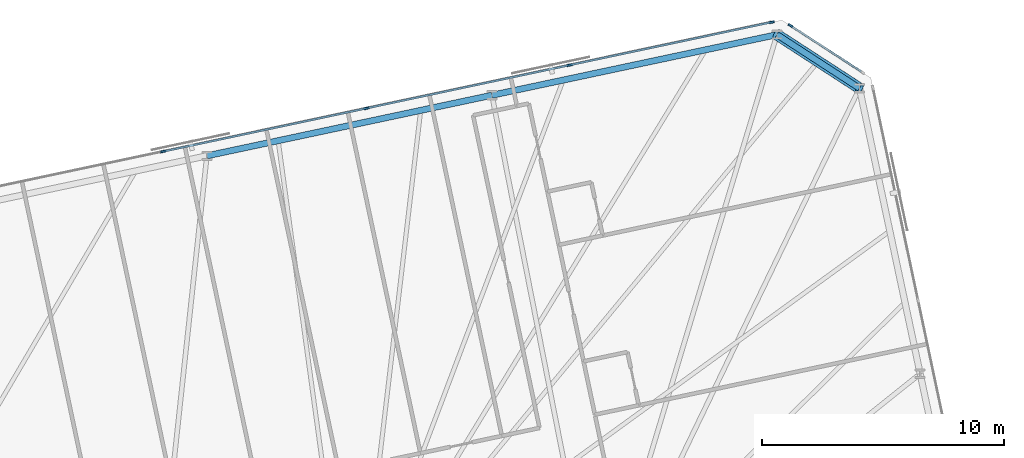
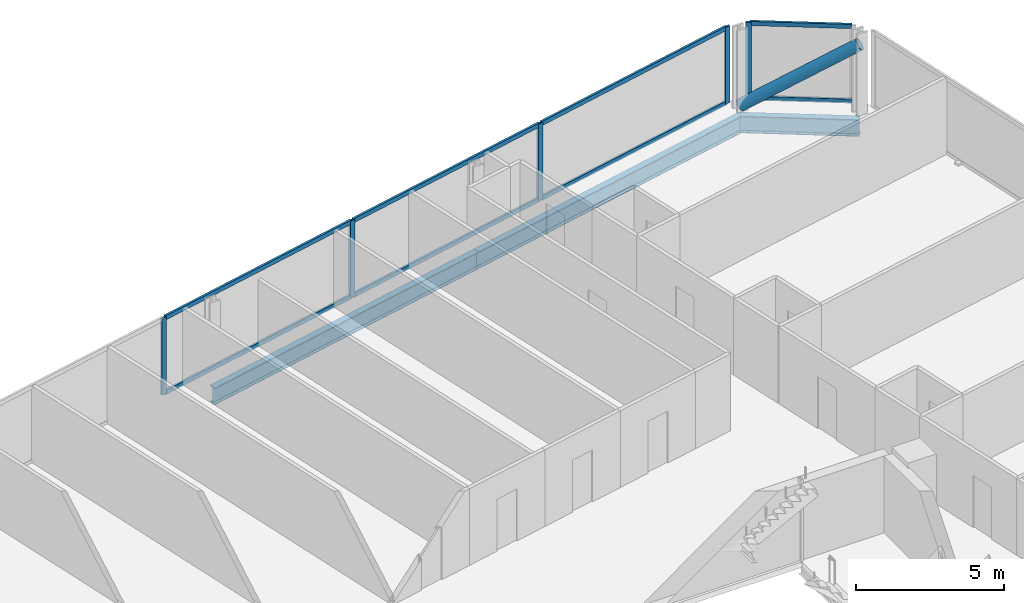
# One storey, part 11 of 21: 14 members, 3 beams, 2 elements without a shape of their own.
"""IFC4 building model written with IfcOpenShell, lengths in metres."""

from ifc_helpers import new_model, si_unit, direction, frame, origin, origin_2d, place, context, subcontext, project, spatial, rectangle, hollow_circle, i_section, extrude, material, material_profile, profile_set, type_object, element, aggregate, save


model = new_model("IFC4")

# Units and contexts
model_context = context("Model", 3, precision=1e-05, world=origin(), true_north=direction((0.0, 1.0)))
body_context = subcontext(model_context, "Body", "Model", "MODEL_VIEW")
ifc_project = project(units=[si_unit("LENGTHUNIT", "METRE"), si_unit("AREAUNIT", "SQUARE_METRE"), si_unit("VOLUMEUNIT", "CUBIC_METRE"), si_unit("PLANEANGLEUNIT", "RADIAN"), si_unit("MASSUNIT", "GRAM", prefix="KILO")], contexts=[model_context])

# Site, building, storey
site_placement = place(None, origin())
site = spatial("IfcSite", under=ifc_project, at=site_placement, CompositionType="ELEMENT")
building_placement = place(site_placement, origin())
building = spatial("IfcBuilding", under=site, at=building_placement, Name="Menara Jurai Vektor", CompositionType="ELEMENT")
storey_placement = place(building_placement, frame((0.0, 0.0, 168.39990234375)))
storey = spatial("IfcBuildingStorey", under=building, at=storey_placement, Name="L43", CompositionType="ELEMENT", Elevation=168.39990234375)

# Curtain wall, member
ifc_material_1 = material(Name="Anodised Pale Aluminium & Low-E Double Glazing", Category="aluminium")
curtain_wall_type = type_object("IfcCurtainWallType", Name="CW-BLK3", PredefinedType="NOTDEFINED", material=ifc_material_1)
curtain_wall_1_placement = place(storey_placement, origin())
curtain_wall_1 = element("IfcCurtainWall", 1, at=curtain_wall_1_placement, inside=storey, type_object=curtain_wall_type, Name="Unitised Curtain Wall L43 F04", PredefinedType="NOTDEFINED")
ifc_material_2 = material(Name="Anodised Pale Aluminium Mullion", Category="aluminium")
ifc_material_profile_1 = material_profile(ifc_material_2, rectangle(XDim=0.0849609375, YDim=0.205078125, at=origin_2d()), Name="ALU MUL 85x205")
ifc_profile_set_1 = profile_set([ifc_material_profile_1], Name="Anodised Pale Aluminium Mullion")
member_type_1 = type_object("IfcMemberType", Name="CW-BLK3-MUL", PredefinedType="MULLION", material=ifc_profile_set_1)
member_1_placement = place(storey_placement, frame((23.219970703125, 29.920654296875, 0.0), z_axis=(0.0, 0.0, 1.0), x_axis=(-0.544617794346, -0.838684361415, 0.0)))
member_1 = element("IfcMember", 2, at=member_1_placement, type_object=member_type_1, Name="CW-03 mullion 2", PredefinedType="MULLION", context=body_context, shape_type="SweptSolid", body=[
    extrude(rectangle(XDim=0.0849609375, YDim=0.205078125, at=origin_2d()), origin(), (0.0, 0.0, 1.0), 3.175048828125),
])

# Curtain wall, members
curtain_wall_2_placement = place(storey_placement, origin())
curtain_wall_2 = element("IfcCurtainWall", 3, at=curtain_wall_2_placement, inside=storey, type_object=curtain_wall_type, Name="Unitised Curtain Wall L43 F05", PredefinedType="NOTDEFINED")
member_2_placement = place(storey_placement, frame((22.452392578125, 30.062744140625, 0.0), z_axis=(0.0, 0.0, 1.0), x_axis=(0.207911344156, -0.978147674419, 0.0)))
member_2 = element("IfcMember", 4, at=member_2_placement, type_object=member_type_1, Name="CW-03 mullion 1", PredefinedType="MULLION", context=body_context, shape_type="SweptSolid", body=[
    extrude(rectangle(XDim=0.0849609375, YDim=0.205078125, at=origin_2d()), origin(), (0.0, 0.0, 1.0), 3.175048828125),
])
member_3_placement = place(storey_placement, frame((14.104248046875, 28.288330078125, 0.0), z_axis=(0.0, 0.0, 1.0), x_axis=(0.207911344156, -0.978147674419, 0.0)))
member_3 = element("IfcMember", 5, at=member_3_placement, type_object=member_type_1, Name="CW-03 mullion 2", PredefinedType="MULLION", context=body_context, shape_type="SweptSolid", body=[
    extrude(rectangle(XDim=0.0849609375, YDim=0.205078125, at=origin_2d()), origin(), (0.0, 0.0, 1.0), 3.175048828125),
])
member_4_placement = place(storey_placement, frame((5.71435546875, 26.505126953125, 0.0), z_axis=(0.0, 0.0, 1.0), x_axis=(0.207911344156, -0.978147674419, 0.0)))
member_4 = element("IfcMember", 6, at=member_4_placement, type_object=member_type_1, Name="CW-03 mullion 3", PredefinedType="MULLION", context=body_context, shape_type="SweptSolid", body=[
    extrude(rectangle(XDim=0.0849609375, YDim=0.205078125, at=origin_2d()), origin(), (0.0, 0.0, 1.0), 3.175048828125),
])
member_5_placement = place(storey_placement, frame((-2.67529296875, 24.721923828125, 0.0), z_axis=(0.0, 0.0, 1.0), x_axis=(0.207911344156, -0.978147674419, 0.0)))
member_5 = element("IfcMember", 7, at=member_5_placement, type_object=member_type_1, Name="CW-03 mullion 4", PredefinedType="MULLION", context=body_context, shape_type="SweptSolid", body=[
    extrude(rectangle(XDim=0.0849609375, YDim=0.205078125, at=origin_2d()), origin(), (0.0, 0.0, 1.0), 3.175048828125),
])

# Member
ifc_material_3 = material(Name="Anodised Pale Aluminium Transom", Category="aluminium")
ifc_material_profile_2 = material_profile(ifc_material_3, rectangle(XDim=0.0849609375, YDim=0.175048828125, at=origin_2d()), Name="ALU TRN 85x175")
ifc_profile_set_2 = profile_set([ifc_material_profile_2], Name="Anodised Pale Aluminium Transom")
member_type_2 = type_object("IfcMemberType", Name="CW-BLK3-TRN", PredefinedType="USERDEFINED", material=ifc_profile_set_2)
member_6_placement = place(storey_placement, frame((26.15234375, 28.016357421875, 0.04248046875), z_axis=(-0.83867770631, 0.54462804274, 0.0), x_axis=(-0.54462804274, -0.83867770631, 0.0)))
member_6 = element("IfcMember", 8, at=member_6_placement, type_object=member_type_2, Name="CW-03 transom 1.1", ObjectType="TRANSOM", PredefinedType="USERDEFINED", context=body_context, shape_type="SweptSolid", body=[
    extrude(rectangle(XDim=0.0849609375, YDim=0.175048828125, at=origin_2d()), origin(), (0.0, 0.0, 1.0), 3.453857421875),
])

member_7_placement = place(storey_placement, frame((26.15234375, 28.016357421875, 3.132568359375), z_axis=(-0.83867770631, 0.54462804274, 0.0), x_axis=(-0.54462804274, -0.83867770631, 0.0)))
member_7 = element("IfcMember", 9, at=member_7_placement, type_object=member_type_2, Name="CW-03 transom 1.2", ObjectType="TRANSOM", PredefinedType="USERDEFINED", context=body_context, shape_type="SweptSolid", body=[
    extrude(rectangle(XDim=0.0849609375, YDim=0.175048828125, at=origin_2d()), origin(), (0.0, 0.0, 1.0), 3.453857421875),
])

aggregate(curtain_wall_1, [member_1, member_6, member_7])

member_8_placement = place(storey_placement, frame((22.41064453125, 30.053955078125, 0.04248046875), z_axis=(-0.978151580361, -0.207892967261, 0.0), x_axis=(0.207892967261, -0.978151580361, 0.0)))
member_8 = element("IfcMember", 10, at=member_8_placement, type_object=member_type_2, Name="CW-03 transom 1.1", ObjectType="TRANSOM", PredefinedType="USERDEFINED", context=body_context, shape_type="SweptSolid", body=[
    extrude(rectangle(XDim=0.0849609375, YDim=0.175048828125, at=origin_2d()), origin(), (0.0, 0.0, 1.0), 8.449462890625),
])

member_9_placement = place(storey_placement, frame((22.41064453125, 30.053955078125, 3.132568359375), z_axis=(-0.978151580361, -0.207892967261, 0.0), x_axis=(0.207892967261, -0.978151580361, 0.0)))
member_9 = element("IfcMember", 11, at=member_9_placement, type_object=member_type_2, Name="CW-03 transom 1.2", ObjectType="TRANSOM", PredefinedType="USERDEFINED", context=body_context, shape_type="SweptSolid", body=[
    extrude(rectangle(XDim=0.0849609375, YDim=0.175048828125, at=origin_2d()), origin(), (0.0, 0.0, 1.0), 8.449462890625),
])

member_10_placement = place(storey_placement, frame((14.0625, 28.279541015625, 0.04248046875), z_axis=(-0.978146500933, -0.207916864907, 0.0), x_axis=(0.207916864907, -0.978146500933, 0.0)))
member_10 = element("IfcMember", 12, at=member_10_placement, type_object=member_type_2, Name="CW-03 transom 2.1", ObjectType="TRANSOM", PredefinedType="USERDEFINED", context=body_context, shape_type="SweptSolid", body=[
    extrude(rectangle(XDim=0.0849609375, YDim=0.175048828125, at=origin_2d()), origin(), (0.0, 0.0, 1.0), 8.491943359375),
])

member_11_placement = place(storey_placement, frame((14.0625, 28.279541015625, 3.132568359375), z_axis=(-0.978146500933, -0.207916864907, 0.0), x_axis=(0.207916864907, -0.978146500933, 0.0)))
member_11 = element("IfcMember", 13, at=member_11_placement, type_object=member_type_2, Name="CW-03 transom 2.2", ObjectType="TRANSOM", PredefinedType="USERDEFINED", context=body_context, shape_type="SweptSolid", body=[
    extrude(rectangle(XDim=0.0849609375, YDim=0.175048828125, at=origin_2d()), origin(), (0.0, 0.0, 1.0), 8.491943359375),
])

member_12_placement = place(storey_placement, frame((5.6728515625, 26.496337890625, 0.04248046875), z_axis=(-0.978147743708, -0.207911018178, 0.0), x_axis=(0.207911018178, -0.978147743708, 0.0)))
member_12 = element("IfcMember", 14, at=member_12_placement, type_object=member_type_2, Name="CW-03 transom 3.1", ObjectType="TRANSOM", PredefinedType="USERDEFINED", context=body_context, shape_type="SweptSolid", body=[
    extrude(rectangle(XDim=0.0849609375, YDim=0.175048828125, at=origin_2d()), origin(), (0.0, 0.0, 1.0), 8.4921875),
])

member_13_placement = place(storey_placement, frame((5.6728515625, 26.496337890625, 3.132568359375), z_axis=(-0.978147743708, -0.207911018178, 0.0), x_axis=(0.207911018178, -0.978147743708, 0.0)))
member_13 = element("IfcMember", 15, at=member_13_placement, type_object=member_type_2, Name="CW-03 transom 3.2", ObjectType="TRANSOM", PredefinedType="USERDEFINED", context=body_context, shape_type="SweptSolid", body=[
    extrude(rectangle(XDim=0.0849609375, YDim=0.175048828125, at=origin_2d()), origin(), (0.0, 0.0, 1.0), 8.4921875),
])

aggregate(curtain_wall_2, [member_2, member_3, member_4, member_5, member_8, member_9, member_10, member_11, member_12, member_13])

ifc_material_4 = material(Name="Steel S460", Category="steel")
ifc_material_profile_3 = material_profile(ifc_material_4, hollow_circle(Radius=0.228515625, WallThickness=0.01611328125, at=origin_2d()), Name="CHS 457x16")
ifc_profile_set_3 = profile_set([ifc_material_profile_3], Name="Steel S460")
member_type_3 = type_object("IfcMemberType", Name="STR-BR-457", PredefinedType="BRACE", material=ifc_profile_set_3)
member_14_placement = place(storey_placement, frame((22.664794921875, 29.545654296875, 0.150146484375), z_axis=(0.700418818423, -0.454848055166, 0.550024295382), x_axis=(0.544631249681, 0.838675623749, 0.0)))
element("IfcMember", 16, at=member_14_placement, inside=storey, type_object=member_type_3, Name="Exoskeleton Corner Brace L43-2", PredefinedType="BRACE", context=body_context, shape_type="SweptSolid", body=[
    extrude(hollow_circle(Radius=0.228515625, WallThickness=0.01611328125, at=origin_2d()), origin(), (0.0, 0.0, 1.0), 4.863525390625),
])

# Beams
ifc_material_profile_4 = material_profile(ifc_material_4, i_section(OverallWidth=0.256103515625, OverallDepth=0.693115234375, WebThickness=0.013916015625, FlangeThickness=0.02392578125, FilletRadius=0.014892578125, at=origin_2d()), Name="UKB 686x254x170")
ifc_profile_set_4 = profile_set([ifc_material_profile_4], Name="Steel S460")
beam_type = type_object("IfcBeamType", Name="STR-SP-686", PredefinedType="SPANDREL", material=ifc_profile_set_4)
beam_1_placement = place(storey_placement, frame((26.0712890625, 27.33349609375, -0.5712890625), z_axis=(-0.838675623749, 0.544631249681, 0.0), x_axis=(-0.544631249681, -0.838675623749, 0.0)))
element("IfcBeam", 17, at=beam_1_placement, inside=storey, type_object=beam_type, Name="Exoskeleton Spandrel Beam L43-10", PredefinedType="SPANDREL", context=body_context, shape_type="SweptSolid", body=[
    extrude(i_section(OverallWidth=0.256103515625, OverallDepth=0.693115234375, WebThickness=0.013916015625, FlangeThickness=0.02392578125, FilletRadius=0.014892578125, at=origin_2d()), origin(), (0.0, 0.0, 1.0), 4.061767578125),
])
beam_2_placement = place(storey_placement, frame((22.664794921875, 29.545654296875, -0.5712890625), z_axis=(-0.978147039247, -0.207914332389, 0.0), x_axis=(0.207914332389, -0.978147039247, 0.0)))
element("IfcBeam", 18, at=beam_2_placement, inside=storey, type_object=beam_type, Name="Exoskeleton Spandrel Beam L43-11", PredefinedType="SPANDREL", context=body_context, shape_type="SweptSolid", body=[
    extrude(i_section(OverallWidth=0.256103515625, OverallDepth=0.693115234375, WebThickness=0.013916015625, FlangeThickness=0.02392578125, FilletRadius=0.014892578125, at=origin_2d()), origin(), (0.0, 0.0, 1.0), 12.03125),
])
beam_3_placement = place(storey_placement, frame((10.896484375, 27.044189453125, -0.5712890625), z_axis=(-0.978150288855, -0.207899043801, 0.0), x_axis=(0.207899043801, -0.978150288855, 0.0)))
element("IfcBeam", 19, at=beam_3_placement, inside=storey, type_object=beam_type, Name="Exoskeleton Spandrel Beam L43-12", PredefinedType="SPANDREL", context=body_context, shape_type="SweptSolid", body=[
    extrude(i_section(OverallWidth=0.256103515625, OverallDepth=0.693115234375, WebThickness=0.013916015625, FlangeThickness=0.02392578125, FilletRadius=0.014892578125, at=origin_2d()), origin(), (0.0, 0.0, 1.0), 12.031005859375),
])

save(model, "model.ifc")
